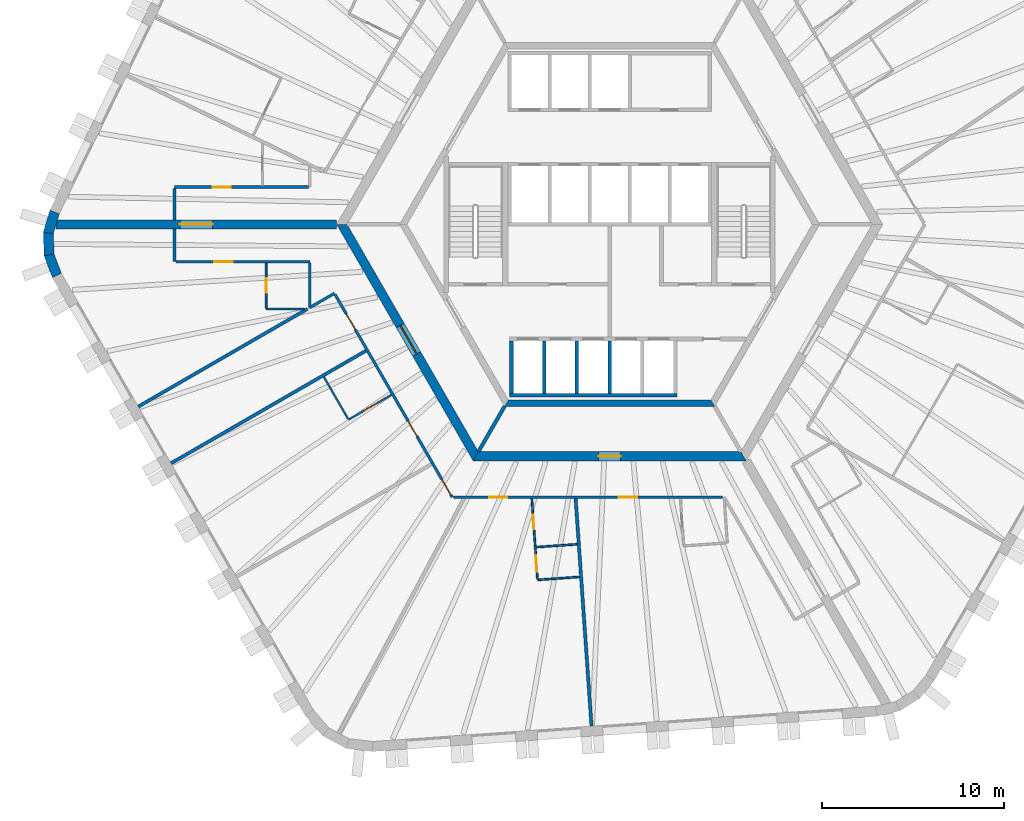
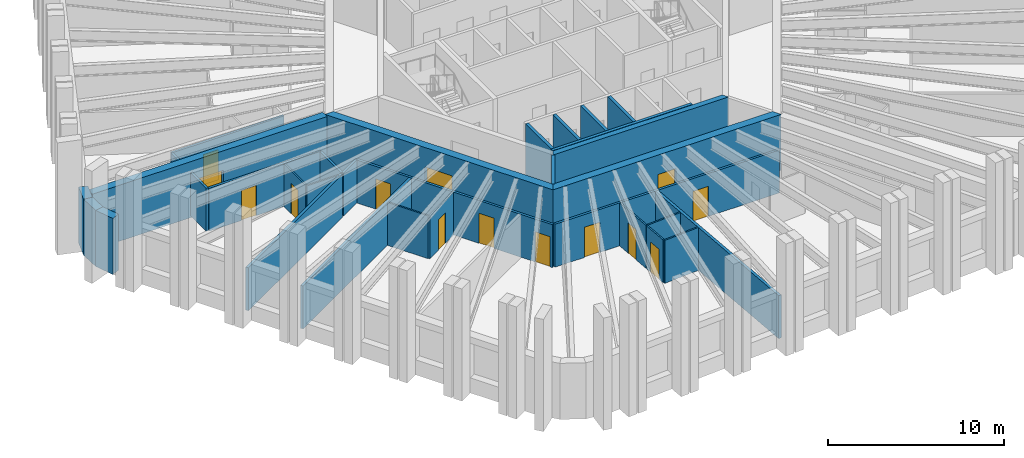
# One storey, part 3 of 11: 32 walls, 14 doors, 14 openings.
"""IFC4 building model written with IfcOpenShell, lengths in metres."""

from ifc_helpers import new_model, si_unit, direction, frame, frame_2d, origin, place, context, subcontext, project, spatial, polyline, rectangle, outline, extrude, material, layer, layer_set, type_object, element, fill, save


model = new_model("IFC4")

# Units and contexts
model_context = context("Model", 3, precision=1e-05, world=origin(), true_north=direction((0.0, 1.0)))
body_context = subcontext(model_context, "Body", "Model", "MODEL_VIEW")
ifc_project = project(units=[si_unit("LENGTHUNIT", "METRE"), si_unit("AREAUNIT", "SQUARE_METRE"), si_unit("VOLUMEUNIT", "CUBIC_METRE"), si_unit("PLANEANGLEUNIT", "RADIAN"), si_unit("MASSUNIT", "GRAM", prefix="KILO")], contexts=[model_context])

# Site, building, storey
site_placement = place(None, origin())
site = spatial("IfcSite", under=ifc_project, at=site_placement, CompositionType="ELEMENT")
building_placement = place(site_placement, origin())
building = spatial("IfcBuilding", under=site, at=building_placement, Name="Tarnside Tower", CompositionType="ELEMENT")
storey_placement = place(building_placement, frame((0.0, 0.0, 207.300048828125)))
storey = spatial("IfcBuildingStorey", under=building, at=storey_placement, Name="L49", CompositionType="ELEMENT", Elevation=207.300048828125)

# Wall
ifc_material_1 = material(Name="Gypsum board partition on steel studs", Category="steel")
ifc_layer_1 = layer(ifc_material_1, 0.10009765625)
ifc_layer_set_1 = layer_set([ifc_layer_1], Name="Bathroom wall 100")
wall_type_1 = type_object("IfcWallType", Name="Bathroom wall 100", PredefinedType="PARTITIONING", material=ifc_layer_set_1)
wall_1_placement = place(storey_placement, frame((-16.79833984375, -4.64990234375, 0.0), z_axis=(0.0, 0.0, 1.0), x_axis=(-1.0, 0.0, 0.0)))
element("IfcWall", 1, at=wall_1_placement, inside=storey, type_object=wall_type_1, Name="Bathroom wall 16076", PredefinedType="PARTITIONING", context=body_context, shape_type="SweptSolid", body=[
    extrude(rectangle(XDim=2.088623046875, YDim=0.10009765625, at=frame_2d((1.04443359375, 0.0))), origin(), (0.0, 0.0, 1.0), 2.98779296875),
])

# Wall, opening, door
wall_2_placement = place(storey_placement, frame((-18.886962890625, -4.60009765625, 0.0), z_axis=(0.0, 0.0, 1.0), x_axis=(0.0, 1.0, 0.0)))
wall_2 = element("IfcWall", 2, at=wall_2_placement, inside=storey, type_object=wall_type_1, Name="Bathroom wall 16077", PredefinedType="PARTITIONING", context=body_context, shape_type="SweptSolid", body=[
    extrude(rectangle(XDim=2.47509765625, YDim=0.10009765625, at=frame_2d((1.237548828125, 0.0))), origin(), (0.0, 0.0, 1.0), 2.98779296875),
])
opening_1_placement = place(wall_2_placement, frame((0.85009765625, 0.0, 0.0)))
opening_1 = element("IfcOpeningElement", 3, at=opening_1_placement, cuts=wall_2, Name="Opening D-B1", PredefinedType="OPENING", context=body_context, shape_type="SweptSolid", body=[
    extrude(rectangle(XDim=0.800048828125, YDim=2.10009765625, at=frame_2d((0.39990234375, 1.050048828125))), frame((0.0, 0.06005859375, 0.0), z_axis=(0.0, -1.0, 0.0), x_axis=(1.0, 0.0, 0.0)), (0.0, 0.0, 1.0), 0.1201171875),
])
ifc_material_2 = material(Name="Timber door leaf", Category="wood")
door_type_1 = type_object("IfcDoorType", Name="Bathroom door 800", OperationType="NOTDEFINED", PredefinedType="DOOR", material=ifc_material_2)
door_1_placement = place(opening_1_placement, origin())
door_1 = element("IfcDoor", 4, at=door_1_placement, inside=storey, type_object=door_type_1, Name="Bathroom door 16015", OperationType="SINGLE_SWING_RIGHT", OverallHeight=2.10009765625, OverallWidth=0.800048828125, PredefinedType="DOOR", context=body_context, shape_type="SweptSolid", body=[
    extrude(rectangle(XDim=0.800048828125, YDim=2.10009765625, at=frame_2d((0.39990234375, 1.050048828125))), frame((0.0, 0.02490234375, 0.0), z_axis=(0.0, -1.0, 0.0), x_axis=(1.0, 0.0, 0.0)), (0.0, 0.0, 1.0), 0.050048828125),
])
fill(opening_1, door_1)

wall_3_placement = place(storey_placement, frame((-11.996337890625, -9.37158203125, 0.0), z_axis=(0.0, 0.0, 1.0), x_axis=(-0.866012511928, -0.500022328685, 0.0)))
wall_3 = element("IfcWall", 5, at=wall_3_placement, inside=storey, type_object=wall_type_1, Name="Bathroom wall 16081", PredefinedType="PARTITIONING", context=body_context, shape_type="SweptSolid", body=[
    extrude(rectangle(XDim=2.72509765625, YDim=0.10009765625, at=frame_2d((1.362548828125, 0.0))), origin(), (0.0, 0.0, 1.0), 2.98779296875),
])
opening_2_placement = place(wall_3_placement, frame((0.925048828125, 0.0, 0.0)))
opening_2 = element("IfcOpeningElement", 6, at=opening_2_placement, cuts=wall_3, Name="Opening D-B1", PredefinedType="OPENING", context=body_context, shape_type="SweptSolid", body=[
    extrude(rectangle(XDim=0.800048828125, YDim=2.10009765625, at=frame_2d((0.39990234375, 1.050048828125))), frame((0.0, 0.06005859375, 0.0), z_axis=(0.0, -1.0, 0.0), x_axis=(1.0, 0.0, 0.0)), (0.0, 0.0, 1.0), 0.1201171875),
])
door_2_placement = place(opening_2_placement, origin())
door_2 = element("IfcDoor", 7, at=door_2_placement, inside=storey, type_object=door_type_1, Name="Bathroom door 16018", OperationType="SINGLE_SWING_RIGHT", OverallHeight=2.10009765625, OverallWidth=0.800048828125, PredefinedType="DOOR", context=body_context, shape_type="SweptSolid", body=[
    extrude(rectangle(XDim=0.800048828125, YDim=2.10009765625, at=frame_2d((0.39990234375, 1.050048828125))), frame((0.0, 0.02490234375, 0.0), z_axis=(0.0, -1.0, 0.0), x_axis=(1.0, 0.0, 0.0)), (0.0, 0.0, 1.0), 0.050048828125),
])
fill(opening_2, door_2)

# Wall
wall_4_placement = place(storey_placement, frame((-14.38134765625, -10.69091796875, 0.0), z_axis=(0.0, 0.0, 1.0), x_axis=(-0.500008456887, 0.866020521143, 0.0)))
element("IfcWall", 8, at=wall_4_placement, inside=storey, type_object=wall_type_1, Name="Bathroom wall 16082", PredefinedType="PARTITIONING", context=body_context, shape_type="SweptSolid", body=[
    extrude(rectangle(XDim=2.66015625, YDim=0.10009765625, at=frame_2d((1.330078125, 0.0))), origin(), (0.0, 0.0, 1.0), 2.98779296875),
])

# Wall, opening, door
wall_5_placement = place(storey_placement, frame((-4.08984375, -17.748291015625, 0.0), z_axis=(0.0, 0.0, 1.0), x_axis=(-0.069783798956, 0.997562139119, 0.0)))
wall_5 = element("IfcWall", 9, at=wall_5_placement, inside=storey, type_object=wall_type_1, Name="Bathroom wall 16085", PredefinedType="PARTITIONING", context=body_context, shape_type="SweptSolid", body=[
    extrude(rectangle(XDim=2.679931640625, YDim=0.10009765625, at=frame_2d((1.33984375, 0.0))), origin(), (0.0, 0.0, 1.0), 2.98779296875),
])
opening_3_placement = place(wall_5_placement, frame((1.0, 0.0, 0.0)))
opening_3 = element("IfcOpeningElement", 10, at=opening_3_placement, cuts=wall_5, Name="Opening D-B1", PredefinedType="OPENING", context=body_context, shape_type="SweptSolid", body=[
    extrude(rectangle(XDim=0.800048828125, YDim=2.10009765625, at=frame_2d((0.39990234375, 1.050048828125))), frame((0.0, 0.06005859375, 0.0), z_axis=(0.0, -1.0, 0.0), x_axis=(1.0, 0.0, 0.0)), (0.0, 0.0, 1.0), 0.1201171875),
])
door_3_placement = place(opening_3_placement, origin())
door_3 = element("IfcDoor", 11, at=door_3_placement, inside=storey, type_object=door_type_1, Name="Bathroom door 16021", OperationType="SINGLE_SWING_LEFT", OverallHeight=2.10009765625, OverallWidth=0.800048828125, PredefinedType="DOOR", context=body_context, shape_type="SweptSolid", body=[
    extrude(rectangle(XDim=0.800048828125, YDim=2.10009765625, at=frame_2d((0.39990234375, 1.050048828125))), frame((0.0, 0.02490234375, 0.0), z_axis=(0.0, -1.0, 0.0), x_axis=(1.0, 0.0, 0.0)), (0.0, 0.0, 1.0), 0.050048828125),
])
fill(opening_3, door_3)

# Walls
wall_6_placement = place(storey_placement, frame((-4.0400390625, -17.744873046875, 0.0), z_axis=(0.0, 0.0, 1.0), x_axis=(0.997562351999, 0.069780755754, 0.0)))
element("IfcWall", 12, at=wall_6_placement, inside=storey, type_object=wall_type_1, Name="Bathroom wall 16089", PredefinedType="PARTITIONING", context=body_context, shape_type="SweptSolid", body=[
    extrude(rectangle(XDim=2.26025390625, YDim=0.10009765625, at=frame_2d((1.130126953125, 0.0))), origin(), (0.0, 0.0, 1.0), 2.98779296875),
])
ifc_material_3 = material(Name="Concrete C50/60", Category="concrete")
ifc_layer_2 = layer(ifc_material_3, 0.35009765625)
ifc_layer_set_2 = layer_set([ifc_layer_2], Name="Core block wall 350 C50/60")
wall_type_2 = type_object("IfcWallType", Name="Core block wall 350 C50/60", PredefinedType="SHEAR", material=ifc_layer_set_2)
wall_7_placement = place(storey_placement, frame((-5.672607421875, -9.824951171875, -0.150146484375), z_axis=(0.0, 0.0, 1.0), x_axis=(1.0, 0.0, 0.0)))
element("IfcWall", 13, at=wall_7_placement, inside=storey, type_object=wall_type_2, Name="L49 core block wall face 4", PredefinedType="SHEAR", context=body_context, shape_type="SweptSolid", body=[
    extrude(outline(polyline([(-0.10107421875, -0.175048828125), (11.4462890625, -0.175048828125), (11.244140625, 0.175048828125), (0.10107421875, 0.175048828125), (-0.10107421875, -0.175048828125)])), origin(), (0.0, 0.0, 1.0), 3.900146484375),
])

# Wall, opening, door
ifc_material_4 = material(Name="Concrete C70/85", Category="concrete")
ifc_layer_3 = layer(ifc_material_4, 0.5)
ifc_layer_set_3 = layer_set([ifc_layer_3], Name="Core wall Z2 500 C70/85")
wall_type_3 = type_object("IfcWallType", Name="Core wall Z2 500 C70/85", PredefinedType="SHEAR", material=ifc_layer_set_3)
wall_8_placement = place(storey_placement, frame((-14.722412109375, 0.0, -0.150146484375), z_axis=(0.0, 0.0, 1.0), x_axis=(0.50000571537, -0.866022103989, 0.0)))
wall_8 = element("IfcWall", 14, at=wall_8_placement, inside=storey, type_object=wall_type_3, Name="L49 core wall face 3", PredefinedType="SHEAR", context=body_context, shape_type="SweptSolid", body=[
    extrude(outline(polyline([(-0.144287109375, -0.25), (14.86669921875, -0.25), (14.578125, 0.25), (0.144287109375, 0.25), (-0.144287109375, -0.25)])), origin(), (0.0, 0.0, 1.0), 3.900146484375),
])
opening_4_placement = place(wall_8_placement, frame((6.432373046875, 0.0, 0.14990234375)))
opening_4 = element("IfcOpeningElement", 15, at=opening_4_placement, cuts=wall_8, Name="Opening CD-FFL", PredefinedType="OPENING", context=body_context, shape_type="SweptSolid", body=[
    extrude(rectangle(XDim=1.800048828125, YDim=2.39990234375, at=frame_2d((0.89990234375, 1.199951171875))), frame((0.0, 0.260009765625, 0.0), z_axis=(0.0, -1.0, 0.0), x_axis=(1.0, 0.0, 0.0)), (0.0, 0.0, 1.0), 0.52001953125),
])
ifc_material_5 = material(Name="Steel fire door", Category="steel")
door_type_2 = type_object("IfcDoorType", Name="Firefighting lobby double door FD60S 1800x2400", OperationType="NOTDEFINED", PredefinedType="DOOR", material=ifc_material_5)
door_4_placement = place(opening_4_placement, origin())
door_4 = element("IfcDoor", 16, at=door_4_placement, inside=storey, type_object=door_type_2, Name="L49 core door P3", OperationType="DOUBLE_DOOR_SINGLE_SWING", OverallHeight=2.39990234375, OverallWidth=1.800048828125, PredefinedType="DOOR", context=body_context, shape_type="SweptSolid", body=[
    extrude(rectangle(XDim=1.800048828125, YDim=2.39990234375, at=frame_2d((0.89990234375, 1.199951171875))), frame((0.0, 0.02490234375, 0.0), z_axis=(0.0, -1.0, 0.0), x_axis=(1.0, 0.0, 0.0)), (0.0, 0.0, 1.0), 0.050048828125),
])
fill(opening_4, door_4)

wall_9_placement = place(storey_placement, frame((-7.361083984375, -12.75, -0.150146484375), z_axis=(0.0, 0.0, 1.0), x_axis=(1.0, 0.0, 0.0)))
wall_9 = element("IfcWall", 17, at=wall_9_placement, inside=storey, type_object=wall_type_3, Name="L49 core wall face 4", PredefinedType="SHEAR", context=body_context, shape_type="SweptSolid", body=[
    extrude(outline(polyline([(-0.144287109375, -0.25), (14.866455078125, -0.25), (14.577880859375, 0.25), (0.144287109375, 0.25), (-0.144287109375, -0.25)])), origin(), (0.0, 0.0, 1.0), 3.900146484375),
])
opening_5_placement = place(wall_9_placement, frame((6.76123046875, 0.0, 0.14990234375)))
opening_5 = element("IfcOpeningElement", 18, at=opening_5_placement, cuts=wall_9, Name="Opening CD-RSR", PredefinedType="OPENING", context=body_context, shape_type="SweptSolid", body=[
    extrude(rectangle(XDim=1.199951171875, YDim=2.39990234375, at=frame_2d((0.60009765625, 1.199951171875))), frame((0.0, 0.260009765625, 0.0), z_axis=(0.0, -1.0, 0.0), x_axis=(1.0, 0.0, 0.0)), (0.0, 0.0, 1.0), 0.52001953125),
])
door_type_3 = type_object("IfcDoorType", Name="Riser door FD60 1200x2400", OperationType="NOTDEFINED", PredefinedType="DOOR", material=ifc_material_5)
door_5_placement = place(opening_5_placement, origin())
door_5 = element("IfcDoor", 19, at=door_5_placement, inside=storey, type_object=door_type_3, Name="L49 core door S6", OperationType="SINGLE_SWING_LEFT", OverallHeight=2.39990234375, OverallWidth=1.199951171875, PredefinedType="DOOR", context=body_context, shape_type="SweptSolid", body=[
    extrude(rectangle(XDim=1.199951171875, YDim=2.39990234375, at=frame_2d((0.60009765625, 1.199951171875))), frame((0.0, 0.02490234375, 0.0), z_axis=(0.0, -1.0, 0.0), x_axis=(1.0, 0.0, 0.0)), (0.0, 0.0, 1.0), 0.050048828125),
])
fill(opening_5, door_5)

wall_10_placement = place(storey_placement, frame((-15.010986328125, 0.0, -0.150146484375), z_axis=(0.0, 0.0, 1.0), x_axis=(-1.0, 0.0, 0.0)))
wall_10 = element("IfcWall", 20, at=wall_10_placement, inside=storey, type_object=wall_type_3, Name="L49 spine wall 2", PredefinedType="SHEAR", context=body_context, shape_type="SweptSolid", body=[
    extrude(rectangle(XDim=15.423828125, YDim=0.5, at=frame_2d((7.7119140625, 0.0))), origin(), (0.0, 0.0, 1.0), 3.900146484375),
])
opening_6_placement = place(wall_10_placement, frame((6.811767578125, 0.0, 0.14990234375)))
opening_6 = element("IfcOpeningElement", 21, at=opening_6_placement, cuts=wall_10, Name="Opening CD-SPN", PredefinedType="OPENING", context=body_context, shape_type="SweptSolid", body=[
    extrude(rectangle(XDim=1.800048828125, YDim=2.39990234375, at=frame_2d((0.89990234375, 1.199951171875))), frame((0.0, 0.260009765625, 0.0), z_axis=(0.0, -1.0, 0.0), x_axis=(1.0, 0.0, 0.0)), (0.0, 0.0, 1.0), 0.52001953125),
])
door_type_4 = type_object("IfcDoorType", Name="Spine passage double door FD60 1800x2400", OperationType="NOTDEFINED", PredefinedType="DOOR", material=ifc_material_5)
door_6_placement = place(opening_6_placement, origin())
door_6 = element("IfcDoor", 22, at=door_6_placement, inside=storey, type_object=door_type_4, Name="L49 spine passage door 2", OperationType="DOUBLE_DOOR_SINGLE_SWING", OverallHeight=2.39990234375, OverallWidth=1.800048828125, PredefinedType="DOOR", context=body_context, shape_type="SweptSolid", body=[
    extrude(rectangle(XDim=1.800048828125, YDim=2.39990234375, at=frame_2d((0.89990234375, 1.199951171875))), frame((0.0, 0.02490234375, 0.0), z_axis=(0.0, -1.0, 0.0), x_axis=(1.0, 0.0, 0.0)), (0.0, 0.0, 1.0), 0.050048828125),
])
fill(opening_6, door_6)

ifc_layer_4 = layer(ifc_material_1, 0.14990234375)
ifc_layer_set_4 = layer_set([ifc_layer_4], Name="Corridor wall 150 EI 60")
wall_type_4 = type_object("IfcWallType", Name="Corridor wall 150 EI 60", PredefinedType="PARTITIONING", material=ifc_layer_set_4)
wall_11_placement = place(storey_placement, frame((-16.56201171875, 2.050048828125, 0.0), z_axis=(0.0, 0.0, 1.0), x_axis=(-1.0, 0.0, 0.0)))
wall_11 = element("IfcWall", 23, at=wall_11_placement, inside=storey, type_object=wall_type_4, Name="Corridor wall 16015", PredefinedType="PARTITIONING", context=body_context, shape_type="SweptSolid", body=[
    extrude(rectangle(XDim=7.36083984375, YDim=0.14990234375, at=frame_2d((3.680419921875, 0.0))), origin(), (0.0, 0.0, 1.0), 2.98779296875),
])
opening_7_placement = place(wall_11_placement, frame((4.26806640625, 0.0, 0.0)))
opening_7 = element("IfcOpeningElement", 24, at=opening_7_placement, cuts=wall_11, Name="Opening D-E1", PredefinedType="OPENING", context=body_context, shape_type="SweptSolid", body=[
    extrude(rectangle(XDim=1.0, YDim=2.10009765625, at=frame_2d((0.5, 1.050048828125))), frame((0.0, 0.0849609375, 0.0), z_axis=(0.0, -1.0, 0.0), x_axis=(1.0, 0.0, 0.0)), (0.0, 0.0, 1.0), 0.169921875),
])
door_type_5 = type_object("IfcDoorType", Name="Unit entrance door 1000 FD30S", OperationType="NOTDEFINED", PredefinedType="DOOR", material=ifc_material_2)
door_7_placement = place(opening_7_placement, origin())
door_7 = element("IfcDoor", 25, at=door_7_placement, inside=storey, type_object=door_type_5, Name="Unit door 16012", OperationType="SINGLE_SWING_RIGHT", OverallHeight=2.10009765625, OverallWidth=1.0, PredefinedType="DOOR", context=body_context, shape_type="SweptSolid", body=[
    extrude(rectangle(XDim=1.0, YDim=2.10009765625, at=frame_2d((0.5, 1.050048828125))), frame((0.0, 0.02490234375, 0.0), z_axis=(0.0, -1.0, 0.0), x_axis=(1.0, 0.0, 0.0)), (0.0, 0.0, 1.0), 0.050048828125),
])
fill(opening_7, door_7)

# Walls
wall_12_placement = place(storey_placement, frame((-23.9228515625, 1.97509765625, 0.0), z_axis=(0.0, 0.0, 1.0), x_axis=(0.0, -1.0, 0.0)))
element("IfcWall", 26, at=wall_12_placement, inside=storey, type_object=wall_type_4, Name="Corridor wall 16016", PredefinedType="PARTITIONING", context=body_context, shape_type="SweptSolid", body=[
    extrude(rectangle(XDim=1.72509765625, YDim=0.14990234375, at=frame_2d((0.862548828125, 0.0))), origin(), (0.0, 0.0, 1.0), 2.98779296875),
])
wall_13_placement = place(storey_placement, frame((-23.9228515625, -0.25, 0.0), z_axis=(0.0, 0.0, 1.0), x_axis=(0.0, -1.0, 0.0)))
element("IfcWall", 27, at=wall_13_placement, inside=storey, type_object=wall_type_4, Name="Corridor wall 16019", PredefinedType="PARTITIONING", context=body_context, shape_type="SweptSolid", body=[
    extrude(rectangle(XDim=1.800048828125, YDim=0.14990234375, at=frame_2d((0.89990234375, 0.0))), origin(), (0.0, 0.0, 1.0), 2.98779296875),
])

# Wall, opening, door
wall_14_placement = place(storey_placement, frame((-23.847900390625, -2.050048828125, 0.0), z_axis=(0.0, 0.0, 1.0), x_axis=(1.0, 0.0, 0.0)))
wall_14 = element("IfcWall", 28, at=wall_14_placement, inside=storey, type_object=wall_type_4, Name="Corridor wall 16020", PredefinedType="PARTITIONING", context=body_context, shape_type="SweptSolid", body=[
    extrude(rectangle(XDim=7.36083984375, YDim=0.14990234375, at=frame_2d((3.680419921875, 0.0))), origin(), (0.0, 0.0, 1.0), 2.98779296875),
])
opening_8_placement = place(wall_14_placement, frame((2.117919921875, 0.0, 0.0)))
opening_8 = element("IfcOpeningElement", 29, at=opening_8_placement, cuts=wall_14, Name="Opening D-E1", PredefinedType="OPENING", context=body_context, shape_type="SweptSolid", body=[
    extrude(rectangle(XDim=1.0, YDim=2.10009765625, at=frame_2d((0.5, 1.050048828125))), frame((0.0, 0.0849609375, 0.0), z_axis=(0.0, -1.0, 0.0), x_axis=(1.0, 0.0, 0.0)), (0.0, 0.0, 1.0), 0.169921875),
])
door_8_placement = place(opening_8_placement, origin())
door_8 = element("IfcDoor", 30, at=door_8_placement, inside=storey, type_object=door_type_5, Name="Unit door 16014", OperationType="SINGLE_SWING_LEFT", OverallHeight=2.10009765625, OverallWidth=1.0, PredefinedType="DOOR", context=body_context, shape_type="SweptSolid", body=[
    extrude(rectangle(XDim=1.0, YDim=2.10009765625, at=frame_2d((0.5, 1.050048828125))), frame((0.0, 0.02490234375, 0.0), z_axis=(0.0, -1.0, 0.0), x_axis=(1.0, 0.0, 0.0)), (0.0, 0.0, 1.0), 0.050048828125),
])
fill(opening_8, door_8)

# Walls
wall_15_placement = place(storey_placement, frame((-16.487060546875, -2.125, 0.0), z_axis=(0.0, 0.0, 1.0), x_axis=(0.0, -1.0, 0.0)))
element("IfcWall", 31, at=wall_15_placement, inside=storey, type_object=wall_type_4, Name="Corridor wall 16022", PredefinedType="PARTITIONING", context=body_context, shape_type="SweptSolid", body=[
    extrude(rectangle(XDim=2.44921875, YDim=0.14990234375, at=frame_2d((1.224609375, 0.0))), origin(), (0.0, 0.0, 1.0), 2.98779296875),
])
wall_16_placement = place(storey_placement, frame((-16.490234375, -4.576171875, 0.0), z_axis=(0.0, 0.0, 1.0), x_axis=(0.865993845424, 0.5000546567, 0.0)))
element("IfcWall", 32, at=wall_16_placement, inside=storey, type_object=wall_type_4, Name="Corridor wall 16023", PredefinedType="PARTITIONING", context=body_context, shape_type="SweptSolid", body=[
    extrude(rectangle(XDim=1.569091796875, YDim=0.14990234375, at=frame_2d((0.78466796875, 0.0))), origin(), (0.0, 0.0, 1.0), 2.98779296875),
])

# Wall, openings, doors
wall_17_placement = place(storey_placement, frame((-15.093994140625, -3.8564453125, 0.0), z_axis=(0.0, 0.0, 1.0), x_axis=(0.500006037985, -0.866021917724, 0.0)))
wall_17 = element("IfcWall", 33, at=wall_17_placement, inside=storey, type_object=wall_type_4, Name="Corridor wall 16024", PredefinedType="PARTITIONING", context=body_context, shape_type="SweptSolid", body=[
    extrude(rectangle(XDim=12.867431640625, YDim=0.14990234375, at=frame_2d((6.43359375, 0.0))), origin(), (0.0, 0.0, 1.0), 2.98779296875),
])
opening_9_placement = place(wall_17_placement, frame((1.22509765625, 0.0, 0.0)))
opening_9 = element("IfcOpeningElement", 34, at=opening_9_placement, cuts=wall_17, Name="Opening D-E1", PredefinedType="OPENING", context=body_context, shape_type="SweptSolid", body=[
    extrude(rectangle(XDim=1.0, YDim=2.10009765625, at=frame_2d((0.5, 1.050048828125))), frame((0.0, 0.0849609375, 0.0), z_axis=(0.0, -1.0, 0.0), x_axis=(1.0, 0.0, 0.0)), (0.0, 0.0, 1.0), 0.169921875),
])
opening_10_placement = place(wall_17_placement, frame((8.02490234375, 0.0, 0.0)))
opening_10 = element("IfcOpeningElement", 35, at=opening_10_placement, cuts=wall_17, Name="Opening D-E1", PredefinedType="OPENING", context=body_context, shape_type="SweptSolid", body=[
    extrude(rectangle(XDim=1.0, YDim=2.10009765625, at=frame_2d((0.5, 1.050048828125))), frame((0.0, 0.0849609375, 0.0), z_axis=(0.0, -1.0, 0.0), x_axis=(1.0, 0.0, 0.0)), (0.0, 0.0, 1.0), 0.169921875),
])
opening_11_placement = place(wall_17_placement, frame((11.71728515625, 0.0, 0.0)))
opening_11 = element("IfcOpeningElement", 36, at=opening_11_placement, cuts=wall_17, Name="Opening D-E1", PredefinedType="OPENING", context=body_context, shape_type="SweptSolid", body=[
    extrude(rectangle(XDim=1.0, YDim=2.10009765625, at=frame_2d((0.5, 1.050048828125))), frame((0.0, 0.0849609375, 0.0), z_axis=(0.0, -1.0, 0.0), x_axis=(1.0, 0.0, 0.0)), (0.0, 0.0, 1.0), 0.169921875),
])
door_9_placement = place(opening_9_placement, origin())
door_9 = element("IfcDoor", 37, at=door_9_placement, inside=storey, type_object=door_type_5, Name="Unit door 16016", OperationType="SINGLE_SWING_RIGHT", OverallHeight=2.10009765625, OverallWidth=1.0, PredefinedType="DOOR", context=body_context, shape_type="SweptSolid", body=[
    extrude(rectangle(XDim=1.0, YDim=2.10009765625, at=frame_2d((0.5, 1.050048828125))), frame((0.0, 0.02490234375, 0.0), z_axis=(0.0, -1.0, 0.0), x_axis=(1.0, 0.0, 0.0)), (0.0, 0.0, 1.0), 0.050048828125),
])
fill(opening_9, door_9)
door_10_placement = place(opening_10_placement, origin())
door_10 = element("IfcDoor", 38, at=door_10_placement, inside=storey, type_object=door_type_5, Name="Unit door 16017", OperationType="SINGLE_SWING_RIGHT", OverallHeight=2.10009765625, OverallWidth=1.0, PredefinedType="DOOR", context=body_context, shape_type="SweptSolid", body=[
    extrude(rectangle(XDim=1.0, YDim=2.10009765625, at=frame_2d((0.5, 1.050048828125))), frame((0.0, 0.02490234375, 0.0), z_axis=(0.0, -1.0, 0.0), x_axis=(1.0, 0.0, 0.0)), (0.0, 0.0, 1.0), 0.050048828125),
])
fill(opening_10, door_10)
door_11_placement = place(opening_11_placement, origin())
door_11 = element("IfcDoor", 39, at=door_11_placement, inside=storey, type_object=door_type_5, Name="Unit door 16019", OperationType="SINGLE_SWING_LEFT", OverallHeight=2.10009765625, OverallWidth=1.0, PredefinedType="DOOR", context=body_context, shape_type="SweptSolid", body=[
    extrude(rectangle(XDim=1.0, YDim=2.10009765625, at=frame_2d((0.5, 1.050048828125))), frame((0.0, 0.02490234375, 0.0), z_axis=(0.0, -1.0, 0.0), x_axis=(1.0, 0.0, 0.0)), (0.0, 0.0, 1.0), 0.050048828125),
])
fill(opening_11, door_11)

wall_18_placement = place(storey_placement, frame((-8.57373046875, -15.0, 0.0), z_axis=(0.0, 0.0, 1.0), x_axis=(1.0, 0.0, 0.0)))
wall_18 = element("IfcWall", 40, at=wall_18_placement, inside=storey, type_object=wall_type_4, Name="Corridor wall 16028", PredefinedType="PARTITIONING", context=body_context, shape_type="SweptSolid", body=[
    extrude(rectangle(XDim=14.7802734375, YDim=0.14990234375, at=frame_2d((7.39013671875, 0.0))), origin(), (0.0, 0.0, 1.0), 2.98779296875),
])
opening_12_placement = place(wall_18_placement, frame((1.95068359375, 0.0, 0.0)))
opening_12 = element("IfcOpeningElement", 41, at=opening_12_placement, cuts=wall_18, Name="Opening D-E1", PredefinedType="OPENING", context=body_context, shape_type="SweptSolid", body=[
    extrude(rectangle(XDim=1.0, YDim=2.10009765625, at=frame_2d((0.5, 1.050048828125))), frame((0.0, 0.0849609375, 0.0), z_axis=(0.0, -1.0, 0.0), x_axis=(1.0, 0.0, 0.0)), (0.0, 0.0, 1.0), 0.169921875),
])
opening_13_placement = place(wall_18_placement, frame((9.0849609375, 0.0, 0.0)))
opening_13 = element("IfcOpeningElement", 42, at=opening_13_placement, cuts=wall_18, Name="Opening D-E1", PredefinedType="OPENING", context=body_context, shape_type="SweptSolid", body=[
    extrude(rectangle(XDim=1.0, YDim=2.10009765625, at=frame_2d((0.5, 1.050048828125))), frame((0.0, 0.0849609375, 0.0), z_axis=(0.0, -1.0, 0.0), x_axis=(1.0, 0.0, 0.0)), (0.0, 0.0, 1.0), 0.169921875),
])
door_12_placement = place(opening_12_placement, origin())
door_12 = element("IfcDoor", 43, at=door_12_placement, inside=storey, type_object=door_type_5, Name="Unit door 16020", OperationType="SINGLE_SWING_LEFT", OverallHeight=2.10009765625, OverallWidth=1.0, PredefinedType="DOOR", context=body_context, shape_type="SweptSolid", body=[
    extrude(rectangle(XDim=1.0, YDim=2.10009765625, at=frame_2d((0.5, 1.050048828125))), frame((0.0, 0.02490234375, 0.0), z_axis=(0.0, -1.0, 0.0), x_axis=(1.0, 0.0, 0.0)), (0.0, 0.0, 1.0), 0.050048828125),
])
fill(opening_12, door_12)
door_13_placement = place(opening_13_placement, origin())
door_13 = element("IfcDoor", 44, at=door_13_placement, inside=storey, type_object=door_type_5, Name="Unit door 16023", OperationType="SINGLE_SWING_RIGHT", OverallHeight=2.10009765625, OverallWidth=1.0, PredefinedType="DOOR", context=body_context, shape_type="SweptSolid", body=[
    extrude(rectangle(XDim=1.0, YDim=2.10009765625, at=frame_2d((0.5, 1.050048828125))), frame((0.0, 0.02490234375, 0.0), z_axis=(0.0, -1.0, 0.0), x_axis=(1.0, 0.0, 0.0)), (0.0, 0.0, 1.0), 0.050048828125),
])
fill(opening_13, door_13)

# Walls
ifc_layer_5 = layer(ifc_material_1, 0.179931640625)
ifc_layer_set_5 = layer_set([ifc_layer_5], Name="Demising wall 180 EI 60")
wall_type_5 = type_object("IfcWallType", Name="Demising wall 180 EI 60", PredefinedType="PARTITIONING", material=ifc_layer_set_5)
wall_19_placement = place(storey_placement, frame((-25.91357421875, -10.0166015625, 0.0), z_axis=(0.0, 0.0, 1.0), x_axis=(0.86602614826, 0.499998710529, 0.0)))
element("IfcWall", 45, at=wall_19_placement, inside=storey, type_object=wall_type_5, Name="Demising wall 16078", PredefinedType="PARTITIONING", context=body_context, shape_type="SweptSolid", body=[
    extrude(rectangle(XDim=10.7353515625, YDim=0.179931640625, at=frame_2d((5.36767578125, 0.0))), origin(), (0.0, 0.0, 1.0), 2.98779296875),
])
wall_20_placement = place(storey_placement, frame((-24.113525390625, -13.13427734375, 0.0), z_axis=(0.0, 0.0, 1.0), x_axis=(0.866024931941, 0.500000817256, 0.0)))
element("IfcWall", 46, at=wall_20_placement, inside=storey, type_object=wall_type_5, Name="Demising wall 16079", PredefinedType="PARTITIONING", context=body_context, shape_type="SweptSolid", body=[
    extrude(rectangle(XDim=12.375, YDim=0.179931640625, at=frame_2d((6.1875, 0.0))), origin(), (0.0, 0.0, 1.0), 2.98779296875),
])
wall_21_placement = place(storey_placement, frame((-0.99609375, -27.586669921875, 0.0), z_axis=(0.0, 0.0, 1.0), x_axis=(-0.069744671963, 0.997564875451, 0.0)))
element("IfcWall", 47, at=wall_21_placement, inside=storey, type_object=wall_type_5, Name="Demising wall 16088", PredefinedType="PARTITIONING", context=body_context, shape_type="SweptSolid", body=[
    extrude(rectangle(XDim=12.542236328125, YDim=0.179931640625, at=frame_2d((6.27099609375, 0.0))), origin(), (0.0, 0.0, 1.0), 2.98779296875),
])
ifc_material_6 = material(Name="Concrete C40/50", Category="concrete")
ifc_layer_6 = layer(ifc_material_6, 0.199951171875)
ifc_layer_set_6 = layer_set([ifc_layer_6], Name="Lift shaft wall 200 C40/50")
wall_type_6 = type_object("IfcWallType", Name="Lift shaft wall 200 C40/50", PredefinedType="SHEAR", material=ifc_layer_set_6)
wall_22_placement = place(storey_placement, frame((-5.5, -9.39990234375, -0.25), z_axis=(0.0, 0.0, 1.0), x_axis=(1.0, 0.0, 0.0)))
element("IfcWall", 48, at=wall_22_placement, inside=storey, type_object=wall_type_6, Name="L49 lift shaft back wall R4", PredefinedType="SHEAR", context=body_context, shape_type="SweptSolid", body=[
    extrude(rectangle(XDim=9.199951171875, YDim=0.199951171875, at=frame_2d((4.60009765625, 0.0))), origin(), (0.0, 0.0, 1.0), 3.89990234375),
])
for number, where, z_axis, x_axis, name in (
    (49, (-5.39990234375, -9.300048828125, -0.25), (0.0, 0.0, 1.0), (0.0, 1.0, 0.0), "L49 lift shaft partition R41"),
    (50, (-3.60009765625, -9.300048828125, -0.25), (0.0, 0.0, 1.0), (0.0, 1.0, 0.0), "L49 lift shaft partition R42"),
    (51, (-1.800048828125, -9.300048828125, -0.25), (0.0, 0.0, 1.0), (0.0, 1.0, 0.0), "L49 lift shaft partition R43"),
    (52, (0.0, -9.300048828125, -0.25), (0.0, 0.0, 1.0), (0.0, 1.0, 0.0), "L49 lift shaft partition R44"),
):
    element("IfcWall", number, at=place(storey_placement, frame(where, z_axis=z_axis, x_axis=x_axis)), inside=storey, type_object=wall_type_6, Name=name, PredefinedType="SHEAR", context=body_context, shape_type="SweptSolid", body=[
        extrude(rectangle(XDim=2.900146484375, YDim=0.199951171875, at=frame_2d((1.4501953125, 0.0))), origin(), (0.0, 0.0, 1.0), 3.89990234375),
    ])
wall_23_placement = place(storey_placement, frame((-5.7734375, -10.0, -0.150146484375), z_axis=(0.0, 0.0, 1.0), x_axis=(-0.499995765644, -0.866027848477, 0.0)))
element("IfcWall", 53, at=wall_23_placement, inside=storey, type_object=wall_type_6, Name="L49 core partition AR240", PredefinedType="SHEAR", context=body_context, shape_type="SweptSolid", body=[
    extrude(rectangle(XDim=2.88671875, YDim=0.199951171875, at=frame_2d((1.443359375, 0.0))), origin(), (0.0, 0.0, 1.0), 3.900146484375),
])
ifc_layer_7 = layer(ifc_material_1, 0.10009765625)
ifc_layer_set_7 = layer_set([ifc_layer_7], Name="Partition 100")
wall_type_7 = type_object("IfcWallType", Name="Partition 100", PredefinedType="PARTITIONING", material=ifc_layer_set_7)
wall_24_placement = place(storey_placement, frame((-1.659912109375, -19.3828125, 0.0), z_axis=(0.0, 0.0, 1.0), x_axis=(-0.997564338377, -0.069752353356, 0.0)))
element("IfcWall", 54, at=wall_24_placement, inside=storey, type_object=wall_type_7, Name="Partition wall 16086", PredefinedType="PARTITIONING", context=body_context, shape_type="SweptSolid", body=[
    extrude(rectangle(XDim=2.31005859375, YDim=0.10009765625, at=frame_2d((1.155029296875, 0.0))), origin(), (0.0, 0.0, 1.0), 2.98779296875),
])

# Wall, opening, door
wall_25_placement = place(storey_placement, frame((-3.9677734375, -19.494140625, 0.0), z_axis=(0.0, 0.0, 1.0), x_axis=(-0.069797686069, 0.997561167558, 0.0)))
wall_25 = element("IfcWall", 55, at=wall_25_placement, inside=storey, type_object=wall_type_7, Name="Partition wall 16087", PredefinedType="PARTITIONING", context=body_context, shape_type="SweptSolid", body=[
    extrude(rectangle(XDim=1.699951171875, YDim=0.10009765625, at=frame_2d((0.85009765625, 0.0))), origin(), (0.0, 0.0, 1.0), 2.98779296875),
])
opening_14_placement = place(wall_25_placement, frame((0.39990234375, 0.0, 0.0)))
opening_14 = element("IfcOpeningElement", 56, at=opening_14_placement, cuts=wall_25, Name="Opening D-I1", PredefinedType="OPENING", context=body_context, shape_type="SweptSolid", body=[
    extrude(rectangle(XDim=0.89990234375, YDim=2.10009765625, at=frame_2d((0.449951171875, 1.050048828125))), frame((0.0, 0.06005859375, 0.0), z_axis=(0.0, -1.0, 0.0), x_axis=(1.0, 0.0, 0.0)), (0.0, 0.0, 1.0), 0.1201171875),
])
door_type_6 = type_object("IfcDoorType", Name="Internal door 900", OperationType="NOTDEFINED", PredefinedType="DOOR", material=ifc_material_2)
door_14_placement = place(opening_14_placement, origin())
door_14 = element("IfcDoor", 57, at=door_14_placement, inside=storey, type_object=door_type_6, Name="Internal door 16022", OperationType="SINGLE_SWING_RIGHT", OverallHeight=2.10009765625, OverallWidth=0.89990234375, PredefinedType="DOOR", context=body_context, shape_type="SweptSolid", body=[
    extrude(rectangle(XDim=0.89990234375, YDim=2.10009765625, at=frame_2d((0.449951171875, 1.050048828125))), frame((0.0, 0.02490234375, 0.0), z_axis=(0.0, -1.0, 0.0), x_axis=(1.0, 0.0, 0.0)), (0.0, 0.0, 1.0), 0.050048828125),
])
fill(opening_14, door_14)

# Walls
ifc_material_7 = material(Name="Facing brick", Category="masonry")
ifc_layer_8 = layer(ifc_material_7, 0.10205078125)
ifc_material_8 = material(Name="Concrete C60/75 precast", Category="concrete")
ifc_layer_9 = layer(ifc_material_8, 0.347900390625)
ifc_material_9 = material(Name="Mineral wool insulation")
ifc_layer_10 = layer(ifc_material_9, 0.10009765625)
ifc_layer_set_8 = layer_set([ifc_layer_8, ifc_layer_9, ifc_layer_10], Name="Tube wall 550 brick faced")
wall_type_8 = type_object("IfcWallType", Name="Tube wall 550 brick faced", PredefinedType="SOLIDWALL", material=ifc_layer_set_8)
wall_26_placement = place(storey_placement, frame((-30.51318359375, 0.684326171875, -0.150146484375), z_axis=(0.0, 0.0, 1.0), x_axis=(-0.286736058109, -0.958009620505, 0.0)))
element("IfcWall", 58, at=wall_26_placement, inside=storey, type_object=wall_type_8, Name="Tube wall L49 F2 chord 05", PredefinedType="SOLIDWALL", context=body_context, shape_type="SweptSolid", body=[
    extrude(outline(polyline([(-0.0224609375, -0.27490234375), (1.25341796875, -0.27490234375), (1.1630859375, 0.27490234375), (0.0224609375, 0.27490234375), (-0.0224609375, -0.27490234375)])), origin(), (0.0, 0.0, 1.0), 3.900146484375),
])
wall_27_placement = place(storey_placement, frame((-30.859619140625, -0.47314453125, -0.150146484375), z_axis=(0.0, 0.0, 1.0), x_axis=(0.03495638276, -0.999388838893, 0.0)))
element("IfcWall", 59, at=wall_27_placement, inside=storey, type_object=wall_type_8, Name="Tube wall L49 F2 chord 06", PredefinedType="SOLIDWALL", context=body_context, shape_type="SweptSolid", body=[
    extrude(outline(polyline([(-0.045166015625, -0.27490234375), (1.25341796875, -0.27490234375), (1.1630859375, 0.27490234375), (0.045166015625, 0.27490234375), (-0.045166015625, -0.27490234375)])), origin(), (0.0, 0.0, 1.0), 3.900146484375),
])
wall_28_placement = place(storey_placement, frame((-30.8173828125, -1.6806640625, -0.150146484375), z_axis=(0.0, 0.0, 1.0), x_axis=(0.352850303963, -0.935679786569, 0.0)))
element("IfcWall", 60, at=wall_28_placement, inside=storey, type_object=wall_type_8, Name="Tube wall L49 F2 chord 07", PredefinedType="SOLIDWALL", context=body_context, shape_type="SweptSolid", body=[
    extrude(outline(polyline([(-0.045166015625, -0.27490234375), (1.23046875, -0.27490234375), (1.185546875, 0.27490234375), (0.045166015625, 0.27490234375), (-0.045166015625, -0.27490234375)])), origin(), (0.0, 0.0, 1.0), 3.900146484375),
])

save(model, "model.ifc")
